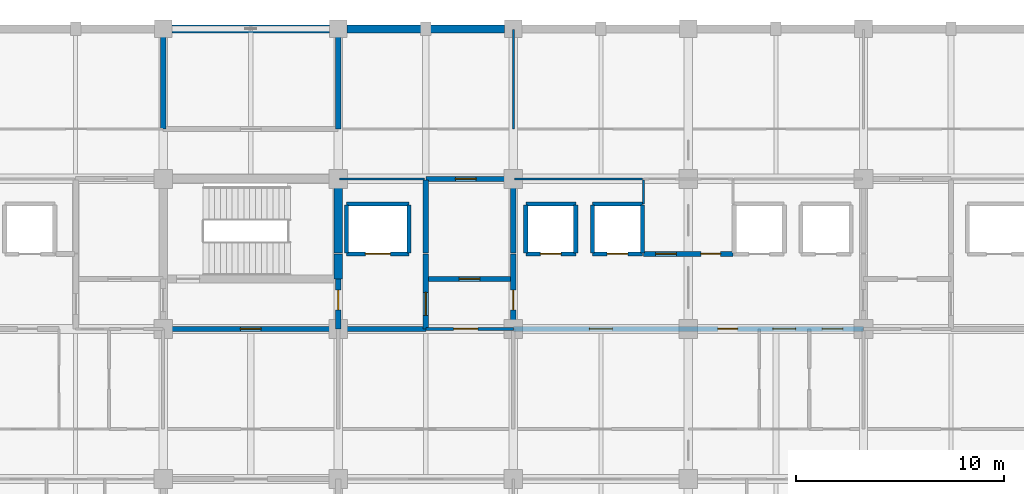
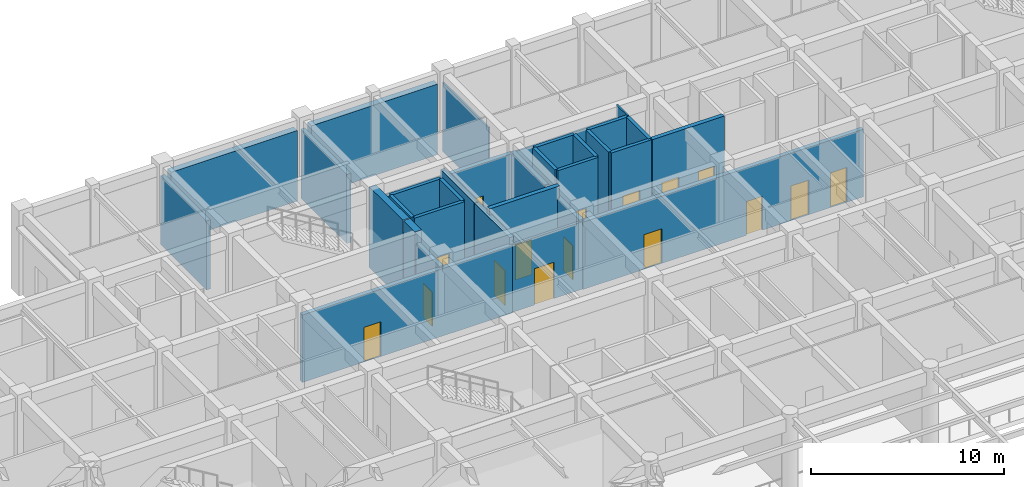
# One storey, part 42 of 58: 33 walls, 16 doors, 16 openings.
"""IFC4 building model written with IfcOpenShell, lengths in metres."""

from ifc_helpers import new_model, si_unit, direction, frame, frame_2d, origin, place, context, subcontext, project, spatial, rectangle, extrude, material, layer, layer_set, type_object, element, fill, save


model = new_model("IFC4")

# Units and contexts
model_context = context("Model", 3, precision=1e-05, world=origin(), true_north=direction((0.0, 1.0)))
body_context = subcontext(model_context, "Body", "Model", "MODEL_VIEW")
ifc_project = project(units=[si_unit("LENGTHUNIT", "METRE"), si_unit("AREAUNIT", "SQUARE_METRE"), si_unit("VOLUMEUNIT", "CUBIC_METRE"), si_unit("PLANEANGLEUNIT", "RADIAN"), si_unit("MASSUNIT", "GRAM", prefix="KILO")], contexts=[model_context])

# Site, building, storey
site_placement = place(None, origin())
site = spatial("IfcSite", under=ifc_project, at=site_placement, CompositionType="ELEMENT")
building_placement = place(site_placement, origin())
building = spatial("IfcBuilding", under=site, at=building_placement, Name="Chengyuan Square Courthouse", CompositionType="ELEMENT")
storey_placement = place(building_placement, frame((0.0, 0.0, 16.199951171875)))
storey = spatial("IfcBuildingStorey", under=building, at=storey_placement, Name="L04", CompositionType="ELEMENT", Elevation=16.199951171875)

# Walls
ifc_material_1 = material(Name="Concrete C40", Category="concrete")
ifc_layer_1 = layer(ifc_material_1, 0.3798828125)
ifc_layer_set_1 = layer_set([ifc_layer_1], Name="Concrete C40")
wall_type_1 = type_object("IfcWallType", Name="WL-EW1", PredefinedType="STANDARD", material=ifc_layer_set_1)
wall_1_placement = place(storey_placement, frame((59.219970703125, 115.199951171875, 0.0), z_axis=(0.0, 0.0, 1.0), x_axis=(1.0, 0.0, 0.0)))
element("IfcWall", 1, at=wall_1_placement, inside=storey, type_object=wall_type_1, Name="Exterior Wall WL-L04-E316", PredefinedType="STANDARD", context=body_context, shape_type="SweptSolid", body=[
    extrude(rectangle(XDim=7.56005859375, YDim=0.3798828125, at=frame_2d((3.780029296875, 0.0))), origin(), (0.0, 0.0, 1.0), 4.469970703125),
])
wall_2_placement = place(storey_placement, frame((67.6201171875, 115.199951171875, 0.0), z_axis=(0.0, 0.0, 1.0), x_axis=(1.0, 0.0, 0.0)))
element("IfcWall", 2, at=wall_2_placement, inside=storey, type_object=wall_type_1, Name="Exterior Wall WL-L04-E317", PredefinedType="STANDARD", context=body_context, shape_type="SweptSolid", body=[
    extrude(rectangle(XDim=7.559814453125, YDim=0.3798828125, at=frame_2d((3.77978515625, 0.0))), origin(), (0.0, 0.0, 1.0), 4.469970703125),
])

# Wall, opening, door
ifc_layer_2 = layer(ifc_material_1, 0.25)
ifc_layer_set_2 = layer_set([ifc_layer_2], Name="Concrete C40")
wall_type_2 = type_object("IfcWallType", Name="WL-FW1", PredefinedType="STANDARD", material=ifc_layer_set_2)
wall_3_placement = place(storey_placement, frame((58.800048828125, 100.800048828125, 0.0), z_axis=(0.0, 0.0, 1.0), x_axis=(1.0, 0.0, 0.0)))
wall_3 = element("IfcWall", 3, at=wall_3_placement, inside=storey, type_object=wall_type_2, Name="Interior Wall WL-L04-I1845", PredefinedType="STANDARD", context=body_context, shape_type="SweptSolid", body=[
    extrude(rectangle(XDim=12.599853515625, YDim=0.25, at=frame_2d((6.2998046875, 0.0))), origin(), (0.0, 0.0, 1.0), 4.27001953125),
])
opening_1_placement = place(wall_3_placement, frame((3.699951171875, 0.0, 0.0)))
opening_1 = element("IfcOpeningElement", 4, at=opening_1_placement, cuts=wall_3, Name="Opening DR-1635", PredefinedType="OPENING", context=body_context, shape_type="SweptSolid", body=[
    extrude(rectangle(XDim=1.0, YDim=2.199951171875, at=frame_2d((0.5, 1.10009765625))), frame((0.0, 0.136962890625, 0.0), z_axis=(0.0, -1.0, 0.0), x_axis=(1.0, 0.0, 0.0)), (0.0, 0.0, 1.0), 0.27392578125),
])
ifc_material_2 = material(Name="Steel Q235B Fire Door", Category="steel")
door_type_1 = type_object("IfcDoorType", Name="DT-11", OperationType="NOTDEFINED", PredefinedType="DOOR", material=ifc_material_2)
door_1_placement = place(opening_1_placement, origin())
door_1 = element("IfcDoor", 5, at=door_1_placement, inside=storey, type_object=door_type_1, Name="Interior Door DR-1635", OperationType="SINGLE_SWING_LEFT", OverallHeight=2.199951171875, OverallWidth=1.0, PredefinedType="DOOR", context=body_context, shape_type="SweptSolid", body=[
    extrude(rectangle(XDim=1.0, YDim=2.199951171875, at=frame_2d((0.5, 1.10009765625))), frame((0.0, 0.02490234375, 0.0), z_axis=(0.0, -1.0, 0.0), x_axis=(1.0, 0.0, 0.0)), (0.0, 0.0, 1.0), 0.050048828125),
])
fill(opening_1, door_1)

# Wall, openings, doors
wall_4_placement = place(storey_placement, frame((75.60009765625, 100.800048828125, 0.0), z_axis=(0.0, 0.0, 1.0), x_axis=(1.0, 0.0, 0.0)))
wall_4 = element("IfcWall", 6, at=wall_4_placement, inside=storey, type_object=wall_type_2, Name="Interior Wall WL-L04-I1847", PredefinedType="STANDARD", context=body_context, shape_type="SweptSolid", body=[
    extrude(rectangle(XDim=16.7998046875, YDim=0.25, at=frame_2d((8.39990234375, 0.0))), origin(), (0.0, 0.0, 1.0), 4.27001953125),
])
opening_2_placement = place(wall_4_placement, frame((3.64990234375, 0.0, 0.0)))
opening_2 = element("IfcOpeningElement", 7, at=opening_2_placement, cuts=wall_4, Name="Opening DR-1688", PredefinedType="OPENING", context=body_context, shape_type="SweptSolid", body=[
    extrude(rectangle(XDim=1.10009765625, YDim=2.199951171875, at=frame_2d((0.550048828125, 1.10009765625))), frame((0.0, 0.136962890625, 0.0), z_axis=(0.0, -1.0, 0.0), x_axis=(1.0, 0.0, 0.0)), (0.0, 0.0, 1.0), 0.27392578125),
])
opening_3_placement = place(wall_4_placement, frame((9.81005859375, 0.0, 0.0)))
opening_3 = element("IfcOpeningElement", 8, at=opening_3_placement, cuts=wall_4, Name="Opening DR-1690", PredefinedType="OPENING", context=body_context, shape_type="SweptSolid", body=[
    extrude(rectangle(XDim=0.949951171875, YDim=2.14990234375, at=frame_2d((0.47509765625, 1.074951171875))), frame((0.0, 0.136962890625, 0.0), z_axis=(0.0, -1.0, 0.0), x_axis=(1.0, 0.0, 0.0)), (0.0, 0.0, 1.0), 0.27392578125),
])
opening_4_placement = place(wall_4_placement, frame((12.449951171875, 0.0, 0.0)))
opening_4 = element("IfcOpeningElement", 9, at=opening_4_placement, cuts=wall_4, Name="Opening DR-1691", PredefinedType="OPENING", context=body_context, shape_type="SweptSolid", body=[
    extrude(rectangle(XDim=1.10009765625, YDim=2.199951171875, at=frame_2d((0.550048828125, 1.10009765625))), frame((0.0, 0.136962890625, 0.0), z_axis=(0.0, -1.0, 0.0), x_axis=(1.0, 0.0, 0.0)), (0.0, 0.0, 1.0), 0.27392578125),
])
opening_5_placement = place(wall_4_placement, frame((14.81494140625, 0.0, 0.0)))
opening_5 = element("IfcOpeningElement", 10, at=opening_5_placement, cuts=wall_4, Name="Opening DR-1692", PredefinedType="OPENING", context=body_context, shape_type="SweptSolid", body=[
    extrude(rectangle(XDim=1.0, YDim=2.199951171875, at=frame_2d((0.5, 1.10009765625))), frame((0.0, 0.136962890625, 0.0), z_axis=(0.0, -1.0, 0.0), x_axis=(1.0, 0.0, 0.0)), (0.0, 0.0, 1.0), 0.27392578125),
])
door_type_2 = type_object("IfcDoorType", Name="DT-10", OperationType="NOTDEFINED", PredefinedType="DOOR", material=ifc_material_2)
door_2_placement = place(opening_2_placement, origin())
door_2 = element("IfcDoor", 11, at=door_2_placement, inside=storey, type_object=door_type_2, Name="Interior Door DR-1688", OperationType="SINGLE_SWING_LEFT", OverallHeight=2.199951171875, OverallWidth=1.10009765625, PredefinedType="DOOR", context=body_context, shape_type="SweptSolid", body=[
    extrude(rectangle(XDim=1.10009765625, YDim=2.199951171875, at=frame_2d((0.550048828125, 1.10009765625))), frame((0.0, 0.02490234375, 0.0), z_axis=(0.0, -1.0, 0.0), x_axis=(1.0, 0.0, 0.0)), (0.0, 0.0, 1.0), 0.050048828125),
])
fill(opening_2, door_2)
door_3_placement = place(opening_4_placement, origin())
door_3 = element("IfcDoor", 12, at=door_3_placement, inside=storey, type_object=door_type_2, Name="Interior Door DR-1691", OperationType="SINGLE_SWING_RIGHT", OverallHeight=2.199951171875, OverallWidth=1.10009765625, PredefinedType="DOOR", context=body_context, shape_type="SweptSolid", body=[
    extrude(rectangle(XDim=1.10009765625, YDim=2.199951171875, at=frame_2d((0.550048828125, 1.10009765625))), frame((0.0, 0.02490234375, 0.0), z_axis=(0.0, -1.0, 0.0), x_axis=(1.0, 0.0, 0.0)), (0.0, 0.0, 1.0), 0.050048828125),
])
fill(opening_4, door_3)
door_4_placement = place(opening_5_placement, origin())
door_4 = element("IfcDoor", 13, at=door_4_placement, inside=storey, type_object=door_type_1, Name="Interior Door DR-1692", OperationType="SINGLE_SWING_LEFT", OverallHeight=2.199951171875, OverallWidth=1.0, PredefinedType="DOOR", context=body_context, shape_type="SweptSolid", body=[
    extrude(rectangle(XDim=1.0, YDim=2.199951171875, at=frame_2d((0.5, 1.10009765625))), frame((0.0, 0.02490234375, 0.0), z_axis=(0.0, -1.0, 0.0), x_axis=(1.0, 0.0, 0.0)), (0.0, 0.0, 1.0), 0.050048828125),
])
fill(opening_5, door_4)
door_type_3 = type_object("IfcDoorType", Name="DT-12", OperationType="NOTDEFINED", PredefinedType="DOOR", material=ifc_material_2)
door_5_placement = place(opening_3_placement, origin())
door_5 = element("IfcDoor", 14, at=door_5_placement, inside=storey, type_object=door_type_3, Name="Interior Door DR-1690", OperationType="SINGLE_SWING_LEFT", OverallHeight=2.14990234375, OverallWidth=0.949951171875, PredefinedType="DOOR", context=body_context, shape_type="SweptSolid", body=[
    extrude(rectangle(XDim=0.949951171875, YDim=2.14990234375, at=frame_2d((0.47509765625, 1.074951171875))), frame((0.0, 0.02490234375, 0.0), z_axis=(0.0, -1.0, 0.0), x_axis=(1.0, 0.0, 0.0)), (0.0, 0.0, 1.0), 0.050048828125),
])
fill(opening_3, door_5)

# Wall, opening, door
wall_5_placement = place(storey_placement, frame((71.39990234375, 103.199951171875, 0.0), z_axis=(0.0, 0.0, 1.0), x_axis=(1.0, 0.0, 0.0)))
wall_5 = element("IfcWall", 15, at=wall_5_placement, inside=storey, type_object=wall_type_2, Name="Interior Wall WL-L04-I1863", PredefinedType="STANDARD", context=body_context, shape_type="SweptSolid", body=[
    extrude(rectangle(XDim=4.2001953125, YDim=0.25, at=frame_2d((2.10009765625, 0.0))), origin(), (0.0, 0.0, 1.0), 5.1201171875),
])
opening_6_placement = place(wall_5_placement, frame((1.60009765625, 0.0, 0.0)))
opening_6 = element("IfcOpeningElement", 16, at=opening_6_placement, cuts=wall_5, Name="Opening DR-1668", PredefinedType="OPENING", context=body_context, shape_type="SweptSolid", body=[
    extrude(rectangle(XDim=1.0, YDim=2.199951171875, at=frame_2d((0.5, 1.10009765625))), frame((0.0, 0.136962890625, 0.0), z_axis=(0.0, -1.0, 0.0), x_axis=(1.0, 0.0, 0.0)), (0.0, 0.0, 1.0), 0.27392578125),
])
door_6_placement = place(opening_6_placement, origin())
door_6 = element("IfcDoor", 17, at=door_6_placement, inside=storey, type_object=door_type_1, Name="Interior Door DR-1668", OperationType="SINGLE_SWING_RIGHT", OverallHeight=2.199951171875, OverallWidth=1.0, PredefinedType="DOOR", context=body_context, shape_type="SweptSolid", body=[
    extrude(rectangle(XDim=1.0, YDim=2.199951171875, at=frame_2d((0.5, 1.10009765625))), frame((0.0, 0.02490234375, 0.0), z_axis=(0.0, -1.0, 0.0), x_axis=(1.0, 0.0, 0.0)), (0.0, 0.0, 1.0), 0.050048828125),
])
fill(opening_6, door_6)

# Wall, openings, doors
wall_6_placement = place(storey_placement, frame((81.85009765625, 104.39990234375, 0.0), z_axis=(0.0, 0.0, 1.0), x_axis=(1.0, 0.0, 0.0)))
wall_6 = element("IfcWall", 18, at=wall_6_placement, inside=storey, type_object=wall_type_2, Name="Interior Wall WL-L04-I1875", PredefinedType="STANDARD", context=body_context, shape_type="SweptSolid", body=[
    extrude(rectangle(XDim=4.2998046875, YDim=0.25, at=frame_2d((2.14990234375, 0.0))), origin(), (0.0, 0.0, 1.0), 5.1201171875),
])
opening_7_placement = place(wall_6_placement, frame((0.574951171875, 0.0, 0.0)))
opening_7 = element("IfcOpeningElement", 19, at=opening_7_placement, cuts=wall_6, Name="Opening DR-1689", PredefinedType="OPENING", context=body_context, shape_type="SweptSolid", body=[
    extrude(rectangle(XDim=1.0, YDim=2.199951171875, at=frame_2d((0.5, 1.10009765625))), frame((0.0, 0.136962890625, 0.0), z_axis=(0.0, -1.0, 0.0), x_axis=(1.0, 0.0, 0.0)), (0.0, 0.0, 1.0), 0.27392578125),
])
opening_8_placement = place(wall_6_placement, frame((2.75, 0.0, 0.0)))
opening_8 = element("IfcOpeningElement", 20, at=opening_8_placement, cuts=wall_6, Name="Opening DR-1693", PredefinedType="OPENING", context=body_context, shape_type="SweptSolid", body=[
    extrude(rectangle(XDim=0.949951171875, YDim=2.14990234375, at=frame_2d((0.47509765625, 1.074951171875))), frame((0.0, 0.136962890625, 0.0), z_axis=(0.0, -1.0, 0.0), x_axis=(1.0, 0.0, 0.0)), (0.0, 0.0, 1.0), 0.27392578125),
])
door_7_placement = place(opening_7_placement, origin())
door_7 = element("IfcDoor", 21, at=door_7_placement, inside=storey, type_object=door_type_1, Name="Interior Door DR-1689", OperationType="SINGLE_SWING_RIGHT", OverallHeight=2.199951171875, OverallWidth=1.0, PredefinedType="DOOR", context=body_context, shape_type="SweptSolid", body=[
    extrude(rectangle(XDim=1.0, YDim=2.199951171875, at=frame_2d((0.5, 1.10009765625))), frame((0.0, 0.02490234375, 0.0), z_axis=(0.0, -1.0, 0.0), x_axis=(1.0, 0.0, 0.0)), (0.0, 0.0, 1.0), 0.050048828125),
])
fill(opening_7, door_7)
door_8_placement = place(opening_8_placement, origin())
door_8 = element("IfcDoor", 22, at=door_8_placement, inside=storey, type_object=door_type_3, Name="Interior Door DR-1693", OperationType="SINGLE_SWING_RIGHT", OverallHeight=2.14990234375, OverallWidth=0.949951171875, PredefinedType="DOOR", context=body_context, shape_type="SweptSolid", body=[
    extrude(rectangle(XDim=0.949951171875, YDim=2.14990234375, at=frame_2d((0.47509765625, 1.074951171875))), frame((0.0, 0.02490234375, 0.0), z_axis=(0.0, -1.0, 0.0), x_axis=(1.0, 0.0, 0.0)), (0.0, 0.0, 1.0), 0.050048828125),
])
fill(opening_8, door_8)

# Wall, opening, door
wall_7_placement = place(storey_placement, frame((71.39990234375, 108.0, 0.0), z_axis=(0.0, 0.0, 1.0), x_axis=(1.0, 0.0, 0.0)))
wall_7 = element("IfcWall", 23, at=wall_7_placement, inside=storey, type_object=wall_type_2, Name="Interior Wall WL-L04-I1896", PredefinedType="STANDARD", context=body_context, shape_type="SweptSolid", body=[
    extrude(rectangle(XDim=4.2001953125, YDim=0.25, at=frame_2d((2.10009765625, 0.0))), origin(), (0.0, 0.0, 1.0), 4.27001953125),
])
opening_9_placement = place(wall_7_placement, frame((1.4150390625, 0.0, 0.0)))
opening_9 = element("IfcOpeningElement", 24, at=opening_9_placement, cuts=wall_7, Name="Opening DR-1671", PredefinedType="OPENING", context=body_context, shape_type="SweptSolid", body=[
    extrude(rectangle(XDim=1.0, YDim=2.199951171875, at=frame_2d((0.5, 1.10009765625))), frame((0.0, 0.136962890625, 0.0), z_axis=(0.0, -1.0, 0.0), x_axis=(1.0, 0.0, 0.0)), (0.0, 0.0, 1.0), 0.27392578125),
])
door_9_placement = place(opening_9_placement, origin())
door_9 = element("IfcDoor", 25, at=door_9_placement, inside=storey, type_object=door_type_1, Name="Interior Door DR-1671", OperationType="SINGLE_SWING_LEFT", OverallHeight=2.199951171875, OverallWidth=1.0, PredefinedType="DOOR", context=body_context, shape_type="SweptSolid", body=[
    extrude(rectangle(XDim=1.0, YDim=2.199951171875, at=frame_2d((0.5, 1.10009765625))), frame((0.0, 0.02490234375, 0.0), z_axis=(0.0, -1.0, 0.0), x_axis=(1.0, 0.0, 0.0)), (0.0, 0.0, 1.0), 0.050048828125),
])
fill(opening_9, door_9)

# Wall
wall_8_placement = place(storey_placement, frame((58.800048828125, 110.39990234375, 0.0), z_axis=(0.0, 0.0, 1.0), x_axis=(0.0, 1.0, 0.0)))
element("IfcWall", 26, at=wall_8_placement, inside=storey, type_object=wall_type_2, Name="Interior Wall WL-L04-I1972", PredefinedType="STANDARD", context=body_context, shape_type="SweptSolid", body=[
    extrude(rectangle(XDim=4.760009765625, YDim=0.25, at=frame_2d((2.3798828125, 0.0))), origin(), (0.0, 0.0, 1.0), 4.3701171875),
])

# Wall, opening, door
wall_9_placement = place(storey_placement, frame((67.199951171875, 100.800048828125, 0.0), z_axis=(0.0, 0.0, 1.0), x_axis=(0.0, 1.0, 0.0)))
wall_9 = element("IfcWall", 27, at=wall_9_placement, inside=storey, type_object=wall_type_2, Name="Interior Wall WL-L04-I1978", PredefinedType="STANDARD", context=body_context, shape_type="SweptSolid", body=[
    extrude(rectangle(XDim=2.39990234375, YDim=0.25, at=frame_2d((1.199951171875, 0.0))), origin(), (0.0, 0.0, 1.0), 4.3701171875),
])
opening_10_placement = place(wall_9_placement, frame((0.909912109375, 0.0, 0.0)))
opening_10 = element("IfcOpeningElement", 28, at=opening_10_placement, cuts=wall_9, Name="Opening DR-1633", PredefinedType="OPENING", context=body_context, shape_type="SweptSolid", body=[
    extrude(rectangle(XDim=0.949951171875, YDim=2.14990234375, at=frame_2d((0.47509765625, 1.074951171875))), frame((0.0, 0.136962890625, 0.0), z_axis=(0.0, -1.0, 0.0), x_axis=(1.0, 0.0, 0.0)), (0.0, 0.0, 1.0), 0.27392578125),
])
door_10_placement = place(opening_10_placement, origin())
door_10 = element("IfcDoor", 29, at=door_10_placement, inside=storey, type_object=door_type_3, Name="Interior Door DR-1633", OperationType="SINGLE_SWING_LEFT", OverallHeight=2.14990234375, OverallWidth=0.949951171875, PredefinedType="DOOR", context=body_context, shape_type="SweptSolid", body=[
    extrude(rectangle(XDim=0.949951171875, YDim=2.14990234375, at=frame_2d((0.47509765625, 1.074951171875))), frame((0.0, 0.02490234375, 0.0), z_axis=(0.0, -1.0, 0.0), x_axis=(1.0, 0.0, 0.0)), (0.0, 0.0, 1.0), 0.050048828125),
])
fill(opening_10, door_10)

# Wall
wall_10_placement = place(storey_placement, frame((67.199951171875, 110.39990234375, 0.0), z_axis=(0.0, 0.0, 1.0), x_axis=(0.0, 1.0, 0.0)))
element("IfcWall", 30, at=wall_10_placement, inside=storey, type_object=wall_type_2, Name="Interior Wall WL-L04-I1981", PredefinedType="STANDARD", context=body_context, shape_type="SweptSolid", body=[
    extrude(rectangle(XDim=4.760009765625, YDim=0.25, at=frame_2d((2.3798828125, 0.0))), origin(), (0.0, 0.0, 1.0), 4.3701171875),
])

# Wall, opening, door
wall_11_placement = place(storey_placement, frame((71.39990234375, 100.800048828125, 0.0), z_axis=(0.0, 0.0, 1.0), x_axis=(0.0, 1.0, 0.0)))
wall_11 = element("IfcWall", 31, at=wall_11_placement, inside=storey, type_object=wall_type_2, Name="Interior Wall WL-L04-I1986", PredefinedType="STANDARD", context=body_context, shape_type="SweptSolid", body=[
    extrude(rectangle(XDim=3.599853515625, YDim=0.25, at=frame_2d((1.7998046875, 0.0))), origin(), (0.0, 0.0, 1.0), 4.719970703125),
])
opening_11_placement = place(wall_11_placement, frame((0.64990234375, 0.0, 0.0)))
opening_11 = element("IfcOpeningElement", 32, at=opening_11_placement, cuts=wall_11, Name="Opening DR-1667", PredefinedType="OPENING", context=body_context, shape_type="SweptSolid", body=[
    extrude(rectangle(XDim=1.10009765625, YDim=2.199951171875, at=frame_2d((0.550048828125, 1.10009765625))), frame((0.0, 0.136962890625, 0.0), z_axis=(0.0, -1.0, 0.0), x_axis=(1.0, 0.0, 0.0)), (0.0, 0.0, 1.0), 0.27392578125),
])
door_11_placement = place(opening_11_placement, origin())
door_11 = element("IfcDoor", 33, at=door_11_placement, inside=storey, type_object=door_type_2, Name="Interior Door DR-1667", OperationType="SINGLE_SWING_LEFT", OverallHeight=2.199951171875, OverallWidth=1.10009765625, PredefinedType="DOOR", context=body_context, shape_type="SweptSolid", body=[
    extrude(rectangle(XDim=1.10009765625, YDim=2.199951171875, at=frame_2d((0.550048828125, 1.10009765625))), frame((0.0, 0.02490234375, 0.0), z_axis=(0.0, -1.0, 0.0), x_axis=(1.0, 0.0, 0.0)), (0.0, 0.0, 1.0), 0.050048828125),
])
fill(opening_11, door_11)

# Wall
wall_12_placement = place(storey_placement, frame((71.39990234375, 104.449951171875, 0.0), z_axis=(0.0, 0.0, 1.0), x_axis=(0.0, 1.0, 0.0)))
element("IfcWall", 34, at=wall_12_placement, inside=storey, type_object=wall_type_2, Name="Interior Wall WL-L04-I1987", PredefinedType="STANDARD", context=body_context, shape_type="SweptSolid", body=[
    extrude(rectangle(XDim=3.5, YDim=0.25, at=frame_2d((1.75, 0.0))), origin(), (0.0, 0.0, 1.0), 4.719970703125),
])

# Wall, opening, door
wall_13_placement = place(storey_placement, frame((75.60009765625, 100.800048828125, 0.0), z_axis=(0.0, 0.0, 1.0), x_axis=(0.0, 1.0, 0.0)))
wall_13 = element("IfcWall", 35, at=wall_13_placement, inside=storey, type_object=wall_type_2, Name="Interior Wall WL-L04-I1995", PredefinedType="STANDARD", context=body_context, shape_type="SweptSolid", body=[
    extrude(rectangle(XDim=3.599853515625, YDim=0.25, at=frame_2d((1.7998046875, 0.0))), origin(), (0.0, 0.0, 1.0), 4.3701171875),
])
opening_12_placement = place(wall_13_placement, frame((0.909912109375, 0.0, 0.0)))
opening_12 = element("IfcOpeningElement", 36, at=opening_12_placement, cuts=wall_13, Name="Opening DR-1669", PredefinedType="OPENING", context=body_context, shape_type="SweptSolid", body=[
    extrude(rectangle(XDim=0.949951171875, YDim=2.14990234375, at=frame_2d((0.47509765625, 1.074951171875))), frame((0.0, 0.136962890625, 0.0), z_axis=(0.0, -1.0, 0.0), x_axis=(1.0, 0.0, 0.0)), (0.0, 0.0, 1.0), 0.27392578125),
])
door_12_placement = place(opening_12_placement, origin())
door_12 = element("IfcDoor", 37, at=door_12_placement, inside=storey, type_object=door_type_3, Name="Interior Door DR-1669", OperationType="SINGLE_SWING_LEFT", OverallHeight=2.14990234375, OverallWidth=0.949951171875, PredefinedType="DOOR", context=body_context, shape_type="SweptSolid", body=[
    extrude(rectangle(XDim=0.949951171875, YDim=2.14990234375, at=frame_2d((0.47509765625, 1.074951171875))), frame((0.0, 0.02490234375, 0.0), z_axis=(0.0, -1.0, 0.0), x_axis=(1.0, 0.0, 0.0)), (0.0, 0.0, 1.0), 0.050048828125),
])
fill(opening_12, door_12)

# Wall
wall_14_placement = place(storey_placement, frame((75.60009765625, 104.449951171875, 0.0), z_axis=(0.0, 0.0, 1.0), x_axis=(0.0, 1.0, 0.0)))
element("IfcWall", 38, at=wall_14_placement, inside=storey, type_object=wall_type_2, Name="Interior Wall WL-L04-I1996", PredefinedType="STANDARD", context=body_context, shape_type="SweptSolid", body=[
    extrude(rectangle(XDim=3.5, YDim=0.25, at=frame_2d((1.75, 0.0))), origin(), (0.0, 0.0, 1.0), 4.3701171875),
])

# Wall, opening, door
ifc_material_3 = material(Name="Deliberation Room Sound-Insulated Partition")
ifc_layer_3 = layer(ifc_material_3, 0.14990234375)
ifc_layer_set_3 = layer_set([ifc_layer_3], Name="Deliberation Room Sound-Insulated Partition")
wall_type_3 = type_object("IfcWallType", Name="WL-PT3", PredefinedType="STANDARD", material=ifc_layer_set_3)
wall_15_placement = place(storey_placement, frame((71.39990234375, 100.800048828125, 0.0), z_axis=(0.0, 0.0, 1.0), x_axis=(1.0, 0.0, 0.0)))
wall_15 = element("IfcWall", 39, at=wall_15_placement, inside=storey, type_object=wall_type_3, Name="Interior Wall WL-L04-I1846", PredefinedType="STANDARD", context=body_context, shape_type="SweptSolid", body=[
    extrude(rectangle(XDim=4.2001953125, YDim=0.14990234375, at=frame_2d((2.10009765625, 0.0))), origin(), (0.0, 0.0, 1.0), 4.27001953125),
])
opening_13_placement = place(wall_15_placement, frame((1.3349609375, 0.0, 0.0)))
opening_13 = element("IfcOpeningElement", 40, at=opening_13_placement, cuts=wall_15, Name="Opening DR-1670", PredefinedType="OPENING", context=body_context, shape_type="SweptSolid", body=[
    extrude(rectangle(XDim=1.159912109375, YDim=2.300048828125, at=frame_2d((0.580078125, 1.14990234375))), frame((0.0, 0.0869140625, 0.0), z_axis=(0.0, -1.0, 0.0), x_axis=(1.0, 0.0, 0.0)), (0.0, 0.0, 1.0), 0.173828125),
])
ifc_material_4 = material(Name="Acoustic Solid-Core Timber Door", Category="wood")
door_type_4 = type_object("IfcDoorType", Name="DT-35", OperationType="NOTDEFINED", PredefinedType="DOOR", material=ifc_material_4)
door_13_placement = place(opening_13_placement, origin())
door_13 = element("IfcDoor", 41, at=door_13_placement, inside=storey, type_object=door_type_4, Name="Interior Door DR-1670", OperationType="SINGLE_SWING_RIGHT", OverallHeight=2.300048828125, OverallWidth=1.159912109375, PredefinedType="DOOR", context=body_context, shape_type="SweptSolid", body=[
    extrude(rectangle(XDim=1.159912109375, YDim=2.300048828125, at=frame_2d((0.580078125, 1.14990234375))), frame((0.0, 0.02490234375, 0.0), z_axis=(0.0, -1.0, 0.0), x_axis=(1.0, 0.0, 0.0)), (0.0, 0.0, 1.0), 0.050048828125),
])
fill(opening_13, door_13)

# Walls
ifc_material_5 = material(Name="Gypsum Plasterboard Acoustic Stud Partition")
ifc_layer_4 = layer(ifc_material_5, 0.10009765625)
ifc_layer_set_4 = layer_set([ifc_layer_4], Name="Gypsum Plasterboard Acoustic Stud Partition")
wall_type_4 = type_object("IfcWallType", Name="WL-PT6", PredefinedType="STANDARD", material=ifc_layer_set_4)
wall_16_placement = place(storey_placement, frame((67.25, 108.0, 0.0), z_axis=(0.0, 0.0, 1.0), x_axis=(1.0, 0.0, 0.0)))
element("IfcWall", 42, at=wall_16_placement, inside=storey, type_object=wall_type_4, Name="Interior Wall WL-L04-I1895", PredefinedType="STANDARD", context=body_context, shape_type="SweptSolid", body=[
    extrude(rectangle(XDim=4.10009765625, YDim=0.10009765625, at=frame_2d((2.050048828125, 0.0))), origin(), (0.0, 0.0, 1.0), 4.27001953125),
])
wall_17_placement = place(storey_placement, frame((75.64990234375, 108.0, 0.0), z_axis=(0.0, 0.0, 1.0), x_axis=(1.0, 0.0, 0.0)))
element("IfcWall", 43, at=wall_17_placement, inside=storey, type_object=wall_type_4, Name="Interior Wall WL-L04-I1897", PredefinedType="STANDARD", context=body_context, shape_type="SweptSolid", body=[
    extrude(rectangle(XDim=6.150146484375, YDim=0.10009765625, at=frame_2d((3.0751953125, 0.0))), origin(), (0.0, 0.0, 1.0), 4.27001953125),
])
wall_18_placement = place(storey_placement, frame((75.60009765625, 110.39990234375, 0.0), z_axis=(0.0, 0.0, 1.0), x_axis=(0.0, 1.0, 0.0)))
element("IfcWall", 44, at=wall_18_placement, inside=storey, type_object=wall_type_4, Name="Interior Wall WL-L04-I1997", PredefinedType="STANDARD", context=body_context, shape_type="SweptSolid", body=[
    extrude(rectangle(XDim=4.760009765625, YDim=0.10009765625, at=frame_2d((2.3798828125, 0.0))), origin(), (0.0, 0.0, 1.0), 4.3701171875),
])
wall_19_placement = place(storey_placement, frame((81.85009765625, 106.800048828125, 0.0), z_axis=(0.0, 0.0, 1.0), x_axis=(0.0, 1.0, 0.0)))
element("IfcWall", 45, at=wall_19_placement, inside=storey, type_object=wall_type_4, Name="Interior Wall WL-L04-I2004", PredefinedType="STANDARD", context=body_context, shape_type="SweptSolid", body=[
    extrude(rectangle(XDim=1.14990234375, YDim=0.10009765625, at=frame_2d((0.574951171875, 0.0))), origin(), (0.0, 0.0, 1.0), 5.1201171875),
])

# Wall, opening, door
ifc_material_6 = material(Name="Reinforced Masonry Shaft Enclosure", Category="masonry")
ifc_layer_5 = layer(ifc_material_6, 0.199951171875)
ifc_layer_set_5 = layer_set([ifc_layer_5], Name="Reinforced Masonry Shaft Enclosure")
wall_type_5 = type_object("IfcWallType", Name="WL-SH1", PredefinedType="STANDARD", material=ifc_layer_set_5)
wall_20_placement = place(storey_placement, frame((67.60009765625, 104.39990234375, 0.0), z_axis=(0.0, 0.0, 1.0), x_axis=(1.0, 0.0, 0.0)))
wall_20 = element("IfcWall", 46, at=wall_20_placement, inside=storey, type_object=wall_type_5, Name="Interior Wall WL-L04-I1872", PredefinedType="STANDARD", context=body_context, shape_type="SweptSolid", body=[
    extrude(rectangle(XDim=3.0, YDim=0.199951171875, at=frame_2d((1.5, 0.0))), origin(), (0.0, 0.0, 1.0), 5.1201171875),
])
opening_14_placement = place(wall_20_placement, frame((0.89990234375, 0.0, 0.0)))
opening_14 = element("IfcOpeningElement", 47, at=opening_14_placement, cuts=wall_20, Name="Opening LD-069", PredefinedType="OPENING", context=body_context, shape_type="SweptSolid", body=[
    extrude(rectangle(XDim=1.199951171875, YDim=2.14990234375, at=frame_2d((0.60009765625, 1.074951171875))), frame((0.0, 0.112060546875, 0.0), z_axis=(0.0, -1.0, 0.0), x_axis=(1.0, 0.0, 0.0)), (0.0, 0.0, 1.0), 0.223876953125),
])
ifc_material_7 = material(Name="Stainless Steel S30408 Lift Landing Door", Category="steel")
door_type_5 = type_object("IfcDoorType", Name="DT-05", OperationType="DOUBLE_DOOR_SLIDING", PredefinedType="DOOR", material=ifc_material_7)
door_14_placement = place(opening_14_placement, origin())
door_14 = element("IfcDoor", 48, at=door_14_placement, inside=storey, type_object=door_type_5, Name="Lift Landing Door LF-F1 L04", OperationType="DOUBLE_DOOR_SLIDING", OverallHeight=2.14990234375, OverallWidth=1.199951171875, PredefinedType="DOOR", context=body_context, shape_type="SweptSolid", body=[
    extrude(rectangle(XDim=1.199951171875, YDim=2.14990234375, at=frame_2d((0.60009765625, 1.074951171875))), frame((0.0, 0.02490234375, 0.0), z_axis=(0.0, -1.0, 0.0), x_axis=(1.0, 0.0, 0.0)), (0.0, 0.0, 1.0), 0.050048828125),
])
fill(opening_14, door_14)

wall_21_placement = place(storey_placement, frame((76.199951171875, 104.39990234375, 0.0), z_axis=(0.0, 0.0, 1.0), x_axis=(1.0, 0.0, 0.0)))
wall_21 = element("IfcWall", 49, at=wall_21_placement, inside=storey, type_object=wall_type_5, Name="Interior Wall WL-L04-I1873", PredefinedType="STANDARD", context=body_context, shape_type="SweptSolid", body=[
    extrude(rectangle(XDim=2.400146484375, YDim=0.199951171875, at=frame_2d((1.2001953125, 0.0))), origin(), (0.0, 0.0, 1.0), 5.1201171875),
])
opening_15_placement = place(wall_21_placement, frame((0.699951171875, 0.0, 0.0)))
opening_15 = element("IfcOpeningElement", 50, at=opening_15_placement, cuts=wall_21, Name="Opening LD-073", PredefinedType="OPENING", context=body_context, shape_type="SweptSolid", body=[
    extrude(rectangle(XDim=1.0, YDim=2.14990234375, at=frame_2d((0.5, 1.074951171875))), frame((0.0, 0.112060546875, 0.0), z_axis=(0.0, -1.0, 0.0), x_axis=(1.0, 0.0, 0.0)), (0.0, 0.0, 1.0), 0.223876953125),
])
door_type_6 = type_object("IfcDoorType", Name="DT-07", OperationType="DOUBLE_DOOR_SLIDING", PredefinedType="DOOR", material=ifc_material_7)
door_15_placement = place(opening_15_placement, origin())
door_15 = element("IfcDoor", 51, at=door_15_placement, inside=storey, type_object=door_type_6, Name="Lift Landing Door LF-J1 L04", OperationType="DOUBLE_DOOR_SLIDING", OverallHeight=2.14990234375, OverallWidth=1.0, PredefinedType="DOOR", context=body_context, shape_type="SweptSolid", body=[
    extrude(rectangle(XDim=1.0, YDim=2.14990234375, at=frame_2d((0.5, 1.074951171875))), frame((0.0, 0.02490234375, 0.0), z_axis=(0.0, -1.0, 0.0), x_axis=(1.0, 0.0, 0.0)), (0.0, 0.0, 1.0), 0.050048828125),
])
fill(opening_15, door_15)

wall_22_placement = place(storey_placement, frame((79.39990234375, 104.39990234375, 0.0), z_axis=(0.0, 0.0, 1.0), x_axis=(1.0, 0.0, 0.0)))
wall_22 = element("IfcWall", 52, at=wall_22_placement, inside=storey, type_object=wall_type_5, Name="Interior Wall WL-L04-I1874", PredefinedType="STANDARD", context=body_context, shape_type="SweptSolid", body=[
    extrude(rectangle(XDim=2.400146484375, YDim=0.199951171875, at=frame_2d((1.2001953125, 0.0))), origin(), (0.0, 0.0, 1.0), 5.1201171875),
])
opening_16_placement = place(wall_22_placement, frame((0.699951171875, 0.0, 0.0)))
opening_16 = element("IfcOpeningElement", 53, at=opening_16_placement, cuts=wall_22, Name="Opening LD-074", PredefinedType="OPENING", context=body_context, shape_type="SweptSolid", body=[
    extrude(rectangle(XDim=1.0, YDim=2.14990234375, at=frame_2d((0.5, 1.074951171875))), frame((0.0, 0.112060546875, 0.0), z_axis=(0.0, -1.0, 0.0), x_axis=(1.0, 0.0, 0.0)), (0.0, 0.0, 1.0), 0.223876953125),
])
door_16_placement = place(opening_16_placement, origin())
door_16 = element("IfcDoor", 54, at=door_16_placement, inside=storey, type_object=door_type_6, Name="Lift Landing Door LF-J2 L04", OperationType="DOUBLE_DOOR_SLIDING", OverallHeight=2.14990234375, OverallWidth=1.0, PredefinedType="DOOR", context=body_context, shape_type="SweptSolid", body=[
    extrude(rectangle(XDim=1.0, YDim=2.14990234375, at=frame_2d((0.5, 1.074951171875))), frame((0.0, 0.02490234375, 0.0), z_axis=(0.0, -1.0, 0.0), x_axis=(1.0, 0.0, 0.0)), (0.0, 0.0, 1.0), 0.050048828125),
])
fill(opening_16, door_16)

# Walls
wall_23_placement = place(storey_placement, frame((67.60009765625, 106.800048828125, 0.0), z_axis=(0.0, 0.0, 1.0), x_axis=(1.0, 0.0, 0.0)))
element("IfcWall", 55, at=wall_23_placement, inside=storey, type_object=wall_type_5, Name="Interior Wall WL-L04-I1884", PredefinedType="STANDARD", context=body_context, shape_type="SweptSolid", body=[
    extrude(rectangle(XDim=3.0, YDim=0.199951171875, at=frame_2d((1.5, 0.0))), origin(), (0.0, 0.0, 1.0), 5.1201171875),
])
for number, where, z_axis, x_axis, name in (
    (56, (76.199951171875, 106.800048828125, 0.0), (0.0, 0.0, 1.0), (1.0, 0.0, 0.0), "Interior Wall WL-L04-I1885"),
    (57, (79.39990234375, 106.800048828125, 0.0), (0.0, 0.0, 1.0), (1.0, 0.0, 0.0), "Interior Wall WL-L04-I1886"),
):
    element("IfcWall", number, at=place(storey_placement, frame(where, z_axis=z_axis, x_axis=x_axis)), inside=storey, type_object=wall_type_5, Name=name, PredefinedType="STANDARD", context=body_context, shape_type="SweptSolid", body=[
        extrude(rectangle(XDim=2.400146484375, YDim=0.199951171875, at=frame_2d((1.2001953125, 0.0))), origin(), (0.0, 0.0, 1.0), 5.1201171875),
    ])
for number, where, z_axis, x_axis, name in (
    (58, (67.60009765625, 104.449951171875, 0.0), (0.0, 0.0, 1.0), (0.0, 1.0, 0.0), "Interior Wall WL-L04-I1983"),
    (59, (70.60009765625, 104.449951171875, 0.0), (0.0, 0.0, 1.0), (0.0, 1.0, 0.0), "Interior Wall WL-L04-I1985"),
    (60, (76.199951171875, 104.449951171875, 0.0), (0.0, 0.0, 1.0), (0.0, 1.0, 0.0), "Interior Wall WL-L04-I1998"),
    (61, (78.60009765625, 104.449951171875, 0.0), (0.0, 0.0, 1.0), (0.0, 1.0, 0.0), "Interior Wall WL-L04-I2000"),
    (62, (79.39990234375, 104.449951171875, 0.0), (0.0, 0.0, 1.0), (0.0, 1.0, 0.0), "Interior Wall WL-L04-I2001"),
    (63, (81.800048828125, 104.449951171875, 0.0), (0.0, 0.0, 1.0), (0.0, 1.0, 0.0), "Interior Wall WL-L04-I2003"),
):
    element("IfcWall", number, at=place(storey_placement, frame(where, z_axis=z_axis, x_axis=x_axis)), inside=storey, type_object=wall_type_5, Name=name, PredefinedType="STANDARD", context=body_context, shape_type="SweptSolid", body=[
        extrude(rectangle(XDim=2.300048828125, YDim=0.199951171875, at=frame_2d((1.14990234375, 0.0))), origin(), (0.0, 0.0, 1.0), 5.1201171875),
    ])
ifc_material_8 = material(Name="Concrete C50", Category="concrete")
ifc_layer_6 = layer(ifc_material_8, 0.39990234375)
ifc_layer_set_6 = layer_set([ifc_layer_6], Name="Concrete C50")
wall_type_6 = type_object("IfcWallType", Name="WL-SW1", PredefinedType="SHEAR", material=ifc_layer_set_6)
wall_24_placement = place(storey_placement, frame((67.199951171875, 103.199951171875, 0.0), z_axis=(0.0, 0.0, 1.0), x_axis=(0.0, 1.0, 0.0)))
element("IfcWall", 64, at=wall_24_placement, inside=storey, type_object=wall_type_6, Name="Interior Wall WL-L04-I1979", PredefinedType="SHEAR", context=body_context, shape_type="SweptSolid", body=[
    extrude(rectangle(XDim=1.199951171875, YDim=0.39990234375, at=frame_2d((0.60009765625, 0.0))), origin(), (0.0, 0.0, 1.0), 5.1201171875),
])
wall_25_placement = place(storey_placement, frame((67.199951171875, 104.449951171875, 0.0), z_axis=(0.0, 0.0, 1.0), x_axis=(0.0, 1.0, 0.0)))
element("IfcWall", 65, at=wall_25_placement, inside=storey, type_object=wall_type_6, Name="Interior Wall WL-L04-I1980", PredefinedType="SHEAR", context=body_context, shape_type="SweptSolid", body=[
    extrude(rectangle(XDim=3.5, YDim=0.39990234375, at=frame_2d((1.75, 0.0))), origin(), (0.0, 0.0, 1.0), 5.1201171875),
])

save(model, "model.ifc")
